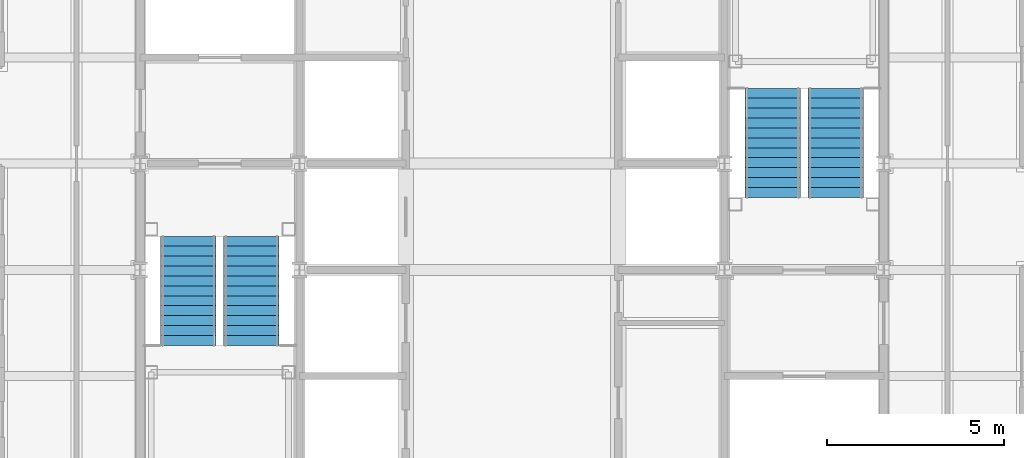
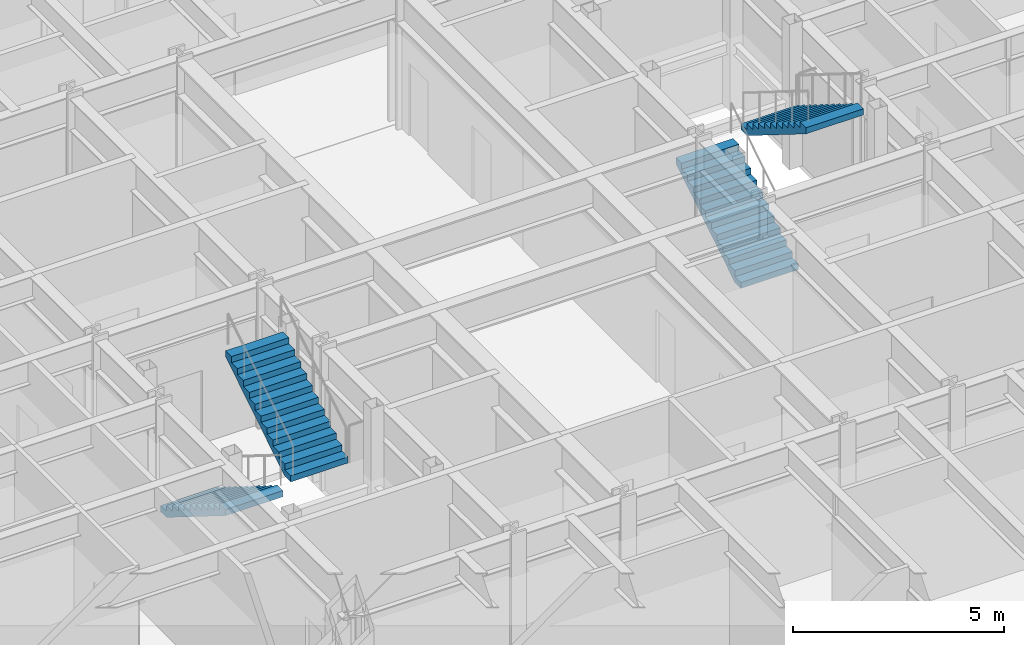
# One storey, part 13 of 15: 4 stair flights, 2 elements without a shape of their own.
"""IFC4 building model written with IfcOpenShell, lengths in metres."""

from ifc_helpers import new_model, si_unit, direction, frame, origin, place, context, subcontext, project, spatial, faceted_brep, material, type_object, element, aggregate, save


model = new_model("IFC4")

# Units and contexts
model_context = context("Model", 3, precision=1e-05, world=origin(), true_north=direction((0.0, 1.0)))
body_context = subcontext(model_context, "Body", "Model", "MODEL_VIEW")
ifc_project = project(units=[si_unit("LENGTHUNIT", "METRE"), si_unit("AREAUNIT", "SQUARE_METRE"), si_unit("VOLUMEUNIT", "CUBIC_METRE"), si_unit("PLANEANGLEUNIT", "RADIAN"), si_unit("MASSUNIT", "GRAM", prefix="KILO")], contexts=[model_context])

# Site, building, storey
site_placement = place(None, origin())
site = spatial("IfcSite", under=ifc_project, at=site_placement, CompositionType="ELEMENT")
building_placement = place(site_placement, origin())
building = spatial("IfcBuilding", under=site, at=building_placement, Name="Chuquiago Exchange Tower", CompositionType="ELEMENT")
storey_placement = place(building_placement, frame((0.0, 0.0, 283.199951171875)))
storey = spatial("IfcBuildingStorey", under=building, at=storey_placement, Name="L63", CompositionType="ELEMENT", Elevation=283.199951171875)

# Stair, stair flights
ifc_material_1 = material(Name="Concrete C30/37, precast", Category="concrete")
stair_type_1 = type_object("IfcStairType", Name="ST1 half-turn stair 4200", PredefinedType="HALF_TURN_STAIR", material=ifc_material_1)
stair_1_placement = place(storey_placement, origin())
stair_1 = element("IfcStair", 1, at=stair_1_placement, inside=storey, type_object=stair_type_1, Name="Stair ST1 L63", PredefinedType="HALF_TURN_STAIR")
ifc_material_2 = material(Name="Concrete C30/37, precast", Category="concrete")
stair_flight_type = type_object("IfcStairFlightType", Name="ST-F flight 1570 for 4200 storey", PredefinedType="STRAIGHT", material=ifc_material_2)
stair_flight_1_placement = place(storey_placement, frame((13.360107421875, 21.949951171875, 0.0), z_axis=(0.0, 0.0, 1.0), x_axis=(0.0, -1.0, 0.0)))
stair_flight_1 = element("IfcStairFlight", 2, at=stair_flight_1_placement, type_object=stair_flight_type, Name="ST1 flight 1", NumberOfRisers=12, NumberOfTreads=11, PredefinedType="STRAIGHT", RiserHeight=0.175, TreadLength=0.28, context=body_context, shape_type="Brep", body=[
    faceted_brep([(0.0, 0.78515625, 0.0), (0.0, 0.78515625, 0.175048828125), (0.280029296875, 0.78515625, 0.175048828125), (0.280029296875, 0.78515625, 0.35009765625), (0.56005859375, 0.78515625, 0.35009765625), (0.56005859375, 0.78515625, 0.52490234375), (0.840087890625, 0.78515625, 0.52490234375), (0.840087890625, 0.78515625, 0.699951171875), (1.1201171875, 0.78515625, 0.699951171875), (1.1201171875, 0.78515625, 0.875), (1.39990234375, 0.78515625, 0.875), (1.39990234375, 0.78515625, 1.050048828125), (1.679931640625, 0.78515625, 1.050048828125), (1.679931640625, 0.78515625, 1.22509765625), (1.9599609375, 0.78515625, 1.22509765625), (1.9599609375, 0.78515625, 1.39990234375), (2.239990234375, 0.78515625, 1.39990234375), (2.239990234375, 0.78515625, 1.574951171875), (2.52001953125, 0.78515625, 1.574951171875), (2.52001953125, 0.78515625, 1.75), (2.800048828125, 0.78515625, 1.75), (2.800048828125, 0.78515625, 1.925048828125), (3.080078125, 0.78515625, 1.925048828125), (3.080078125, 0.78515625, 1.748291015625), (0.28271484375, 0.78515625, 0.0), (0.28271484375, -0.78515625, 0.0), (3.080078125, -0.78515625, 1.748291015625), (3.080078125, -0.78515625, 1.925048828125), (2.800048828125, -0.78515625, 1.925048828125), (2.800048828125, -0.78515625, 1.75), (2.52001953125, -0.78515625, 1.75), (2.52001953125, -0.78515625, 1.574951171875), (2.239990234375, -0.78515625, 1.574951171875), (2.239990234375, -0.78515625, 1.39990234375), (1.9599609375, -0.78515625, 1.39990234375), (1.9599609375, -0.78515625, 1.22509765625), (1.679931640625, -0.78515625, 1.22509765625), (1.679931640625, -0.78515625, 1.050048828125), (1.39990234375, -0.78515625, 1.050048828125), (1.39990234375, -0.78515625, 0.875), (1.1201171875, -0.78515625, 0.875), (1.1201171875, -0.78515625, 0.699951171875), (0.840087890625, -0.78515625, 0.699951171875), (0.840087890625, -0.78515625, 0.52490234375), (0.56005859375, -0.78515625, 0.52490234375), (0.56005859375, -0.78515625, 0.35009765625), (0.280029296875, -0.78515625, 0.35009765625), (0.280029296875, -0.78515625, 0.175048828125), (0.0, -0.78515625, 0.175048828125), (0.0, -0.78515625, 0.0), (0.0, 0.392578125, 0.0), (0.0, 0.392578125, 0.175048828125), (0.0, 0.0, 0.0), (0.0, 0.0, 0.175048828125), (0.0, -0.392578125, 0.0), (0.0, -0.392578125, 0.175048828125), (0.280029296875, 0.392578125, 0.175048828125), (0.280029296875, 0.0, 0.175048828125), (0.280029296875, -0.392578125, 0.175048828125), (0.280029296875, 0.392578125, 0.35009765625), (0.280029296875, 0.0, 0.35009765625), (0.280029296875, -0.392578125, 0.35009765625), (0.56005859375, 0.392578125, 0.35009765625), (0.56005859375, 0.0, 0.35009765625), (0.56005859375, -0.392578125, 0.35009765625), (0.56005859375, 0.392578125, 0.52490234375), (0.56005859375, 0.0, 0.52490234375), (0.56005859375, -0.392578125, 0.52490234375), (0.840087890625, 0.392578125, 0.52490234375), (0.840087890625, 0.0, 0.52490234375), (0.840087890625, -0.392578125, 0.52490234375), (0.840087890625, 0.392578125, 0.699951171875), (0.840087890625, 0.0, 0.699951171875), (0.840087890625, -0.392578125, 0.699951171875), (1.1201171875, 0.392578125, 0.699951171875), (1.1201171875, 0.0, 0.699951171875), (1.1201171875, -0.392578125, 0.699951171875), (1.1201171875, 0.392578125, 0.875), (1.1201171875, 0.0, 0.875), (1.1201171875, -0.392578125, 0.875), (1.39990234375, 0.392578125, 0.875), (1.39990234375, 0.0, 0.875), (1.39990234375, -0.392578125, 0.875), (1.39990234375, 0.392578125, 1.050048828125), (1.39990234375, 0.0, 1.050048828125), (1.39990234375, -0.392578125, 1.050048828125), (1.679931640625, 0.392578125, 1.050048828125), (1.679931640625, 0.0, 1.050048828125), (1.679931640625, -0.392578125, 1.050048828125), (1.679931640625, 0.392578125, 1.22509765625), (1.679931640625, 0.0, 1.22509765625), (1.679931640625, -0.392578125, 1.22509765625), (1.9599609375, 0.392578125, 1.22509765625), (1.9599609375, 0.0, 1.22509765625), (1.9599609375, -0.392578125, 1.22509765625), (1.9599609375, 0.392578125, 1.39990234375), (1.9599609375, 0.0, 1.39990234375), (1.9599609375, -0.392578125, 1.39990234375), (2.239990234375, 0.392578125, 1.39990234375), (2.239990234375, 0.0, 1.39990234375), (2.239990234375, -0.392578125, 1.39990234375), (2.239990234375, 0.392578125, 1.574951171875), (2.239990234375, 0.0, 1.574951171875), (2.239990234375, -0.392578125, 1.574951171875), (2.52001953125, 0.392578125, 1.574951171875), (2.52001953125, 0.0, 1.574951171875), (2.52001953125, -0.392578125, 1.574951171875), (2.52001953125, 0.392578125, 1.75), (2.52001953125, 0.0, 1.75), (2.52001953125, -0.392578125, 1.75), (2.800048828125, 0.392578125, 1.75), (2.800048828125, 0.0, 1.75), (2.800048828125, -0.392578125, 1.75), (2.800048828125, 0.392578125, 1.925048828125), (2.800048828125, 0.0, 1.925048828125), (2.800048828125, -0.392578125, 1.925048828125), (3.080078125, 0.392578125, 1.925048828125), (3.080078125, 0.0, 1.925048828125), (3.080078125, -0.392578125, 1.925048828125), (3.080078125, 0.392578125, 1.748291015625), (3.080078125, 0.0, 1.748291015625), (3.080078125, -0.392578125, 1.748291015625), (0.28271484375, 0.392578125, 0.0), (0.28271484375, 0.0, 0.0), (0.28271484375, -0.392578125, 0.0)], [[[0, 1, 2, 3, 4, 5, 6, 7, 8, 9, 10, 11, 12, 13, 14, 15, 16, 17, 18, 19, 20, 21, 22, 23, 24]], [[25, 26, 27, 28, 29, 30, 31, 32, 33, 34, 35, 36, 37, 38, 39, 40, 41, 42, 43, 44, 45, 46, 47, 48, 49]], [[1, 0, 50, 51]], [[51, 50, 52, 53]], [[53, 52, 54, 55]], [[55, 54, 49, 48]], [[2, 1, 51, 56]], [[56, 51, 53, 57]], [[57, 53, 55, 58]], [[58, 55, 48, 47]], [[3, 2, 56, 59]], [[59, 56, 57, 60]], [[60, 57, 58, 61]], [[61, 58, 47, 46]], [[4, 3, 59, 62]], [[62, 59, 60, 63]], [[63, 60, 61, 64]], [[64, 61, 46, 45]], [[5, 4, 62, 65]], [[65, 62, 63, 66]], [[66, 63, 64, 67]], [[67, 64, 45, 44]], [[6, 5, 65, 68]], [[68, 65, 66, 69]], [[69, 66, 67, 70]], [[70, 67, 44, 43]], [[7, 6, 68, 71]], [[71, 68, 69, 72]], [[72, 69, 70, 73]], [[73, 70, 43, 42]], [[8, 7, 71, 74]], [[74, 71, 72, 75]], [[75, 72, 73, 76]], [[76, 73, 42, 41]], [[9, 8, 74, 77]], [[77, 74, 75, 78]], [[78, 75, 76, 79]], [[79, 76, 41, 40]], [[10, 9, 77, 80]], [[80, 77, 78, 81]], [[81, 78, 79, 82]], [[82, 79, 40, 39]], [[11, 10, 80, 83]], [[83, 80, 81, 84]], [[84, 81, 82, 85]], [[85, 82, 39, 38]], [[12, 11, 83, 86]], [[86, 83, 84, 87]], [[87, 84, 85, 88]], [[88, 85, 38, 37]], [[13, 12, 86, 89]], [[89, 86, 87, 90]], [[90, 87, 88, 91]], [[91, 88, 37, 36]], [[14, 13, 89, 92]], [[92, 89, 90, 93]], [[93, 90, 91, 94]], [[94, 91, 36, 35]], [[15, 14, 92, 95]], [[95, 92, 93, 96]], [[96, 93, 94, 97]], [[97, 94, 35, 34]], [[16, 15, 95, 98]], [[98, 95, 96, 99]], [[99, 96, 97, 100]], [[100, 97, 34, 33]], [[17, 16, 98, 101]], [[101, 98, 99, 102]], [[102, 99, 100, 103]], [[103, 100, 33, 32]], [[18, 17, 101, 104]], [[104, 101, 102, 105]], [[105, 102, 103, 106]], [[106, 103, 32, 31]], [[19, 18, 104, 107]], [[107, 104, 105, 108]], [[108, 105, 106, 109]], [[109, 106, 31, 30]], [[20, 19, 107, 110]], [[110, 107, 108, 111]], [[111, 108, 109, 112]], [[112, 109, 30, 29]], [[21, 20, 110, 113]], [[113, 110, 111, 114]], [[114, 111, 112, 115]], [[115, 112, 29, 28]], [[22, 21, 113, 116]], [[116, 113, 114, 117]], [[117, 114, 115, 118]], [[118, 115, 28, 27]], [[23, 22, 116, 119]], [[119, 116, 117, 120]], [[120, 117, 118, 121]], [[121, 118, 27, 26]], [[24, 23, 119, 122]], [[122, 119, 120, 123]], [[123, 120, 121, 124]], [[124, 121, 26, 25]], [[0, 24, 122, 50]], [[50, 122, 123, 52]], [[52, 123, 124, 54]], [[54, 124, 25, 49]]]),
])
stair_flight_2_placement = place(storey_placement, frame((15.139892578125, 18.8701171875, 2.10009765625), z_axis=(0.0, 0.0, 1.0), x_axis=(0.0, 1.0, 0.0)))
stair_flight_2 = element("IfcStairFlight", 3, at=stair_flight_2_placement, type_object=stair_flight_type, Name="ST1 flight 2", NumberOfRisers=12, NumberOfTreads=11, PredefinedType="STRAIGHT", RiserHeight=0.175, TreadLength=0.28, context=body_context, shape_type="Brep", body=[
    faceted_brep([(0.0, 0.78515625, 0.0), (0.0, 0.78515625, 0.175048828125), (0.280029296875, 0.78515625, 0.175048828125), (0.280029296875, 0.78515625, 0.35009765625), (0.56005859375, 0.78515625, 0.35009765625), (0.56005859375, 0.78515625, 0.52490234375), (0.840087890625, 0.78515625, 0.52490234375), (0.840087890625, 0.78515625, 0.699951171875), (1.1201171875, 0.78515625, 0.699951171875), (1.1201171875, 0.78515625, 0.875), (1.39990234375, 0.78515625, 0.875), (1.39990234375, 0.78515625, 1.050048828125), (1.679931640625, 0.78515625, 1.050048828125), (1.679931640625, 0.78515625, 1.22509765625), (1.9599609375, 0.78515625, 1.22509765625), (1.9599609375, 0.78515625, 1.39990234375), (2.239990234375, 0.78515625, 1.39990234375), (2.239990234375, 0.78515625, 1.574951171875), (2.52001953125, 0.78515625, 1.574951171875), (2.52001953125, 0.78515625, 1.75), (2.800048828125, 0.78515625, 1.75), (2.800048828125, 0.78515625, 1.925048828125), (3.080078125, 0.78515625, 1.925048828125), (3.080078125, 0.78515625, 1.748291015625), (0.28271484375, 0.78515625, 0.0), (0.28271484375, -0.78515625, 0.0), (3.080078125, -0.78515625, 1.748291015625), (3.080078125, -0.78515625, 1.925048828125), (2.800048828125, -0.78515625, 1.925048828125), (2.800048828125, -0.78515625, 1.75), (2.52001953125, -0.78515625, 1.75), (2.52001953125, -0.78515625, 1.574951171875), (2.239990234375, -0.78515625, 1.574951171875), (2.239990234375, -0.78515625, 1.39990234375), (1.9599609375, -0.78515625, 1.39990234375), (1.9599609375, -0.78515625, 1.22509765625), (1.679931640625, -0.78515625, 1.22509765625), (1.679931640625, -0.78515625, 1.050048828125), (1.39990234375, -0.78515625, 1.050048828125), (1.39990234375, -0.78515625, 0.875), (1.1201171875, -0.78515625, 0.875), (1.1201171875, -0.78515625, 0.699951171875), (0.840087890625, -0.78515625, 0.699951171875), (0.840087890625, -0.78515625, 0.52490234375), (0.56005859375, -0.78515625, 0.52490234375), (0.56005859375, -0.78515625, 0.35009765625), (0.280029296875, -0.78515625, 0.35009765625), (0.280029296875, -0.78515625, 0.175048828125), (0.0, -0.78515625, 0.175048828125), (0.0, -0.78515625, 0.0), (0.0, 0.392578125, 0.0), (0.0, 0.392578125, 0.175048828125), (0.0, 0.0, 0.0), (0.0, 0.0, 0.175048828125), (0.0, -0.392578125, 0.0), (0.0, -0.392578125, 0.175048828125), (0.280029296875, 0.392578125, 0.175048828125), (0.280029296875, 0.0, 0.175048828125), (0.280029296875, -0.392578125, 0.175048828125), (0.280029296875, 0.392578125, 0.35009765625), (0.280029296875, 0.0, 0.35009765625), (0.280029296875, -0.392578125, 0.35009765625), (0.56005859375, 0.392578125, 0.35009765625), (0.56005859375, 0.0, 0.35009765625), (0.56005859375, -0.392578125, 0.35009765625), (0.56005859375, 0.392578125, 0.52490234375), (0.56005859375, 0.0, 0.52490234375), (0.56005859375, -0.392578125, 0.52490234375), (0.840087890625, 0.392578125, 0.52490234375), (0.840087890625, 0.0, 0.52490234375), (0.840087890625, -0.392578125, 0.52490234375), (0.840087890625, 0.392578125, 0.699951171875), (0.840087890625, 0.0, 0.699951171875), (0.840087890625, -0.392578125, 0.699951171875), (1.1201171875, 0.392578125, 0.699951171875), (1.1201171875, 0.0, 0.699951171875), (1.1201171875, -0.392578125, 0.699951171875), (1.1201171875, 0.392578125, 0.875), (1.1201171875, 0.0, 0.875), (1.1201171875, -0.392578125, 0.875), (1.39990234375, 0.392578125, 0.875), (1.39990234375, 0.0, 0.875), (1.39990234375, -0.392578125, 0.875), (1.39990234375, 0.392578125, 1.050048828125), (1.39990234375, 0.0, 1.050048828125), (1.39990234375, -0.392578125, 1.050048828125), (1.679931640625, 0.392578125, 1.050048828125), (1.679931640625, 0.0, 1.050048828125), (1.679931640625, -0.392578125, 1.050048828125), (1.679931640625, 0.392578125, 1.22509765625), (1.679931640625, 0.0, 1.22509765625), (1.679931640625, -0.392578125, 1.22509765625), (1.9599609375, 0.392578125, 1.22509765625), (1.9599609375, 0.0, 1.22509765625), (1.9599609375, -0.392578125, 1.22509765625), (1.9599609375, 0.392578125, 1.39990234375), (1.9599609375, 0.0, 1.39990234375), (1.9599609375, -0.392578125, 1.39990234375), (2.239990234375, 0.392578125, 1.39990234375), (2.239990234375, 0.0, 1.39990234375), (2.239990234375, -0.392578125, 1.39990234375), (2.239990234375, 0.392578125, 1.574951171875), (2.239990234375, 0.0, 1.574951171875), (2.239990234375, -0.392578125, 1.574951171875), (2.52001953125, 0.392578125, 1.574951171875), (2.52001953125, 0.0, 1.574951171875), (2.52001953125, -0.392578125, 1.574951171875), (2.52001953125, 0.392578125, 1.75), (2.52001953125, 0.0, 1.75), (2.52001953125, -0.392578125, 1.75), (2.800048828125, 0.392578125, 1.75), (2.800048828125, 0.0, 1.75), (2.800048828125, -0.392578125, 1.75), (2.800048828125, 0.392578125, 1.925048828125), (2.800048828125, 0.0, 1.925048828125), (2.800048828125, -0.392578125, 1.925048828125), (3.080078125, 0.392578125, 1.925048828125), (3.080078125, 0.0, 1.925048828125), (3.080078125, -0.392578125, 1.925048828125), (3.080078125, 0.392578125, 1.748291015625), (3.080078125, 0.0, 1.748291015625), (3.080078125, -0.392578125, 1.748291015625), (0.28271484375, 0.392578125, 0.0), (0.28271484375, 0.0, 0.0), (0.28271484375, -0.392578125, 0.0)], [[[0, 1, 2, 3, 4, 5, 6, 7, 8, 9, 10, 11, 12, 13, 14, 15, 16, 17, 18, 19, 20, 21, 22, 23, 24]], [[25, 26, 27, 28, 29, 30, 31, 32, 33, 34, 35, 36, 37, 38, 39, 40, 41, 42, 43, 44, 45, 46, 47, 48, 49]], [[1, 0, 50, 51]], [[51, 50, 52, 53]], [[53, 52, 54, 55]], [[55, 54, 49, 48]], [[2, 1, 51, 56]], [[56, 51, 53, 57]], [[57, 53, 55, 58]], [[58, 55, 48, 47]], [[3, 2, 56, 59]], [[59, 56, 57, 60]], [[60, 57, 58, 61]], [[61, 58, 47, 46]], [[4, 3, 59, 62]], [[62, 59, 60, 63]], [[63, 60, 61, 64]], [[64, 61, 46, 45]], [[5, 4, 62, 65]], [[65, 62, 63, 66]], [[66, 63, 64, 67]], [[67, 64, 45, 44]], [[6, 5, 65, 68]], [[68, 65, 66, 69]], [[69, 66, 67, 70]], [[70, 67, 44, 43]], [[7, 6, 68, 71]], [[71, 68, 69, 72]], [[72, 69, 70, 73]], [[73, 70, 43, 42]], [[8, 7, 71, 74]], [[74, 71, 72, 75]], [[75, 72, 73, 76]], [[76, 73, 42, 41]], [[9, 8, 74, 77]], [[77, 74, 75, 78]], [[78, 75, 76, 79]], [[79, 76, 41, 40]], [[10, 9, 77, 80]], [[80, 77, 78, 81]], [[81, 78, 79, 82]], [[82, 79, 40, 39]], [[11, 10, 80, 83]], [[83, 80, 81, 84]], [[84, 81, 82, 85]], [[85, 82, 39, 38]], [[12, 11, 83, 86]], [[86, 83, 84, 87]], [[87, 84, 85, 88]], [[88, 85, 38, 37]], [[13, 12, 86, 89]], [[89, 86, 87, 90]], [[90, 87, 88, 91]], [[91, 88, 37, 36]], [[14, 13, 89, 92]], [[92, 89, 90, 93]], [[93, 90, 91, 94]], [[94, 91, 36, 35]], [[15, 14, 92, 95]], [[95, 92, 93, 96]], [[96, 93, 94, 97]], [[97, 94, 35, 34]], [[16, 15, 95, 98]], [[98, 95, 96, 99]], [[99, 96, 97, 100]], [[100, 97, 34, 33]], [[17, 16, 98, 101]], [[101, 98, 99, 102]], [[102, 99, 100, 103]], [[103, 100, 33, 32]], [[18, 17, 101, 104]], [[104, 101, 102, 105]], [[105, 102, 103, 106]], [[106, 103, 32, 31]], [[19, 18, 104, 107]], [[107, 104, 105, 108]], [[108, 105, 106, 109]], [[109, 106, 31, 30]], [[20, 19, 107, 110]], [[110, 107, 108, 111]], [[111, 108, 109, 112]], [[112, 109, 30, 29]], [[21, 20, 110, 113]], [[113, 110, 111, 114]], [[114, 111, 112, 115]], [[115, 112, 29, 28]], [[22, 21, 113, 116]], [[116, 113, 114, 117]], [[117, 114, 115, 118]], [[118, 115, 28, 27]], [[23, 22, 116, 119]], [[119, 116, 117, 120]], [[120, 117, 118, 121]], [[121, 118, 27, 26]], [[24, 23, 119, 122]], [[122, 119, 120, 123]], [[123, 120, 121, 124]], [[124, 121, 26, 25]], [[0, 24, 122, 50]], [[50, 122, 123, 52]], [[52, 123, 124, 54]], [[54, 124, 25, 49]]]),
])
aggregate(stair_1, [stair_flight_1, stair_flight_2])

ifc_material_3 = material(Name="Concrete C30/37, precast", Category="concrete")
stair_type_2 = type_object("IfcStairType", Name="ST2 half-turn stair 4200", PredefinedType="HALF_TURN_STAIR", material=ifc_material_3)
stair_2_placement = place(storey_placement, origin())
stair_2 = element("IfcStair", 4, at=stair_2_placement, inside=storey, type_object=stair_type_2, Name="Stair ST2 L63", PredefinedType="HALF_TURN_STAIR")
stair_flight_3_placement = place(storey_placement, frame((29.860107421875, 23.050048828125, 0.0), z_axis=(0.0, 0.0, 1.0), x_axis=(0.0, 1.0, 0.0)))
stair_flight_3 = element("IfcStairFlight", 5, at=stair_flight_3_placement, type_object=stair_flight_type, Name="ST2 flight 1", NumberOfRisers=12, NumberOfTreads=11, PredefinedType="STRAIGHT", RiserHeight=0.175, TreadLength=0.28, context=body_context, shape_type="Brep", body=[
    faceted_brep([(0.0, 0.78515625, 0.0), (0.0, 0.78515625, 0.175048828125), (0.280029296875, 0.78515625, 0.175048828125), (0.280029296875, 0.78515625, 0.35009765625), (0.56005859375, 0.78515625, 0.35009765625), (0.56005859375, 0.78515625, 0.52490234375), (0.840087890625, 0.78515625, 0.52490234375), (0.840087890625, 0.78515625, 0.699951171875), (1.1201171875, 0.78515625, 0.699951171875), (1.1201171875, 0.78515625, 0.875), (1.39990234375, 0.78515625, 0.875), (1.39990234375, 0.78515625, 1.050048828125), (1.679931640625, 0.78515625, 1.050048828125), (1.679931640625, 0.78515625, 1.22509765625), (1.9599609375, 0.78515625, 1.22509765625), (1.9599609375, 0.78515625, 1.39990234375), (2.239990234375, 0.78515625, 1.39990234375), (2.239990234375, 0.78515625, 1.574951171875), (2.52001953125, 0.78515625, 1.574951171875), (2.52001953125, 0.78515625, 1.75), (2.800048828125, 0.78515625, 1.75), (2.800048828125, 0.78515625, 1.925048828125), (3.080078125, 0.78515625, 1.925048828125), (3.080078125, 0.78515625, 1.748291015625), (0.28271484375, 0.78515625, 0.0), (0.28271484375, -0.78515625, 0.0), (3.080078125, -0.78515625, 1.748291015625), (3.080078125, -0.78515625, 1.925048828125), (2.800048828125, -0.78515625, 1.925048828125), (2.800048828125, -0.78515625, 1.75), (2.52001953125, -0.78515625, 1.75), (2.52001953125, -0.78515625, 1.574951171875), (2.239990234375, -0.78515625, 1.574951171875), (2.239990234375, -0.78515625, 1.39990234375), (1.9599609375, -0.78515625, 1.39990234375), (1.9599609375, -0.78515625, 1.22509765625), (1.679931640625, -0.78515625, 1.22509765625), (1.679931640625, -0.78515625, 1.050048828125), (1.39990234375, -0.78515625, 1.050048828125), (1.39990234375, -0.78515625, 0.875), (1.1201171875, -0.78515625, 0.875), (1.1201171875, -0.78515625, 0.699951171875), (0.840087890625, -0.78515625, 0.699951171875), (0.840087890625, -0.78515625, 0.52490234375), (0.56005859375, -0.78515625, 0.52490234375), (0.56005859375, -0.78515625, 0.35009765625), (0.280029296875, -0.78515625, 0.35009765625), (0.280029296875, -0.78515625, 0.175048828125), (0.0, -0.78515625, 0.175048828125), (0.0, -0.78515625, 0.0), (0.0, 0.392578125, 0.0), (0.0, 0.392578125, 0.175048828125), (0.0, 0.0, 0.0), (0.0, 0.0, 0.175048828125), (0.0, -0.392578125, 0.0), (0.0, -0.392578125, 0.175048828125), (0.280029296875, 0.392578125, 0.175048828125), (0.280029296875, 0.0, 0.175048828125), (0.280029296875, -0.392578125, 0.175048828125), (0.280029296875, 0.392578125, 0.35009765625), (0.280029296875, 0.0, 0.35009765625), (0.280029296875, -0.392578125, 0.35009765625), (0.56005859375, 0.392578125, 0.35009765625), (0.56005859375, 0.0, 0.35009765625), (0.56005859375, -0.392578125, 0.35009765625), (0.56005859375, 0.392578125, 0.52490234375), (0.56005859375, 0.0, 0.52490234375), (0.56005859375, -0.392578125, 0.52490234375), (0.840087890625, 0.392578125, 0.52490234375), (0.840087890625, 0.0, 0.52490234375), (0.840087890625, -0.392578125, 0.52490234375), (0.840087890625, 0.392578125, 0.699951171875), (0.840087890625, 0.0, 0.699951171875), (0.840087890625, -0.392578125, 0.699951171875), (1.1201171875, 0.392578125, 0.699951171875), (1.1201171875, 0.0, 0.699951171875), (1.1201171875, -0.392578125, 0.699951171875), (1.1201171875, 0.392578125, 0.875), (1.1201171875, 0.0, 0.875), (1.1201171875, -0.392578125, 0.875), (1.39990234375, 0.392578125, 0.875), (1.39990234375, 0.0, 0.875), (1.39990234375, -0.392578125, 0.875), (1.39990234375, 0.392578125, 1.050048828125), (1.39990234375, 0.0, 1.050048828125), (1.39990234375, -0.392578125, 1.050048828125), (1.679931640625, 0.392578125, 1.050048828125), (1.679931640625, 0.0, 1.050048828125), (1.679931640625, -0.392578125, 1.050048828125), (1.679931640625, 0.392578125, 1.22509765625), (1.679931640625, 0.0, 1.22509765625), (1.679931640625, -0.392578125, 1.22509765625), (1.9599609375, 0.392578125, 1.22509765625), (1.9599609375, 0.0, 1.22509765625), (1.9599609375, -0.392578125, 1.22509765625), (1.9599609375, 0.392578125, 1.39990234375), (1.9599609375, 0.0, 1.39990234375), (1.9599609375, -0.392578125, 1.39990234375), (2.239990234375, 0.392578125, 1.39990234375), (2.239990234375, 0.0, 1.39990234375), (2.239990234375, -0.392578125, 1.39990234375), (2.239990234375, 0.392578125, 1.574951171875), (2.239990234375, 0.0, 1.574951171875), (2.239990234375, -0.392578125, 1.574951171875), (2.52001953125, 0.392578125, 1.574951171875), (2.52001953125, 0.0, 1.574951171875), (2.52001953125, -0.392578125, 1.574951171875), (2.52001953125, 0.392578125, 1.75), (2.52001953125, 0.0, 1.75), (2.52001953125, -0.392578125, 1.75), (2.800048828125, 0.392578125, 1.75), (2.800048828125, 0.0, 1.75), (2.800048828125, -0.392578125, 1.75), (2.800048828125, 0.392578125, 1.925048828125), (2.800048828125, 0.0, 1.925048828125), (2.800048828125, -0.392578125, 1.925048828125), (3.080078125, 0.392578125, 1.925048828125), (3.080078125, 0.0, 1.925048828125), (3.080078125, -0.392578125, 1.925048828125), (3.080078125, 0.392578125, 1.748291015625), (3.080078125, 0.0, 1.748291015625), (3.080078125, -0.392578125, 1.748291015625), (0.28271484375, 0.392578125, 0.0), (0.28271484375, 0.0, 0.0), (0.28271484375, -0.392578125, 0.0)], [[[0, 1, 2, 3, 4, 5, 6, 7, 8, 9, 10, 11, 12, 13, 14, 15, 16, 17, 18, 19, 20, 21, 22, 23, 24]], [[25, 26, 27, 28, 29, 30, 31, 32, 33, 34, 35, 36, 37, 38, 39, 40, 41, 42, 43, 44, 45, 46, 47, 48, 49]], [[1, 0, 50, 51]], [[51, 50, 52, 53]], [[53, 52, 54, 55]], [[55, 54, 49, 48]], [[2, 1, 51, 56]], [[56, 51, 53, 57]], [[57, 53, 55, 58]], [[58, 55, 48, 47]], [[3, 2, 56, 59]], [[59, 56, 57, 60]], [[60, 57, 58, 61]], [[61, 58, 47, 46]], [[4, 3, 59, 62]], [[62, 59, 60, 63]], [[63, 60, 61, 64]], [[64, 61, 46, 45]], [[5, 4, 62, 65]], [[65, 62, 63, 66]], [[66, 63, 64, 67]], [[67, 64, 45, 44]], [[6, 5, 65, 68]], [[68, 65, 66, 69]], [[69, 66, 67, 70]], [[70, 67, 44, 43]], [[7, 6, 68, 71]], [[71, 68, 69, 72]], [[72, 69, 70, 73]], [[73, 70, 43, 42]], [[8, 7, 71, 74]], [[74, 71, 72, 75]], [[75, 72, 73, 76]], [[76, 73, 42, 41]], [[9, 8, 74, 77]], [[77, 74, 75, 78]], [[78, 75, 76, 79]], [[79, 76, 41, 40]], [[10, 9, 77, 80]], [[80, 77, 78, 81]], [[81, 78, 79, 82]], [[82, 79, 40, 39]], [[11, 10, 80, 83]], [[83, 80, 81, 84]], [[84, 81, 82, 85]], [[85, 82, 39, 38]], [[12, 11, 83, 86]], [[86, 83, 84, 87]], [[87, 84, 85, 88]], [[88, 85, 38, 37]], [[13, 12, 86, 89]], [[89, 86, 87, 90]], [[90, 87, 88, 91]], [[91, 88, 37, 36]], [[14, 13, 89, 92]], [[92, 89, 90, 93]], [[93, 90, 91, 94]], [[94, 91, 36, 35]], [[15, 14, 92, 95]], [[95, 92, 93, 96]], [[96, 93, 94, 97]], [[97, 94, 35, 34]], [[16, 15, 95, 98]], [[98, 95, 96, 99]], [[99, 96, 97, 100]], [[100, 97, 34, 33]], [[17, 16, 98, 101]], [[101, 98, 99, 102]], [[102, 99, 100, 103]], [[103, 100, 33, 32]], [[18, 17, 101, 104]], [[104, 101, 102, 105]], [[105, 102, 103, 106]], [[106, 103, 32, 31]], [[19, 18, 104, 107]], [[107, 104, 105, 108]], [[108, 105, 106, 109]], [[109, 106, 31, 30]], [[20, 19, 107, 110]], [[110, 107, 108, 111]], [[111, 108, 109, 112]], [[112, 109, 30, 29]], [[21, 20, 110, 113]], [[113, 110, 111, 114]], [[114, 111, 112, 115]], [[115, 112, 29, 28]], [[22, 21, 113, 116]], [[116, 113, 114, 117]], [[117, 114, 115, 118]], [[118, 115, 28, 27]], [[23, 22, 116, 119]], [[119, 116, 117, 120]], [[120, 117, 118, 121]], [[121, 118, 27, 26]], [[24, 23, 119, 122]], [[122, 119, 120, 123]], [[123, 120, 121, 124]], [[124, 121, 26, 25]], [[0, 24, 122, 50]], [[50, 122, 123, 52]], [[52, 123, 124, 54]], [[54, 124, 25, 49]]]),
])
stair_flight_4_placement = place(storey_placement, frame((31.639892578125, 26.1298828125, 2.10009765625), z_axis=(0.0, 0.0, 1.0), x_axis=(0.0, -1.0, 0.0)))
stair_flight_4 = element("IfcStairFlight", 6, at=stair_flight_4_placement, type_object=stair_flight_type, Name="ST2 flight 2", NumberOfRisers=12, NumberOfTreads=11, PredefinedType="STRAIGHT", RiserHeight=0.175, TreadLength=0.28, context=body_context, shape_type="Brep", body=[
    faceted_brep([(0.0, 0.78515625, 0.0), (0.0, 0.78515625, 0.175048828125), (0.280029296875, 0.78515625, 0.175048828125), (0.280029296875, 0.78515625, 0.35009765625), (0.56005859375, 0.78515625, 0.35009765625), (0.56005859375, 0.78515625, 0.52490234375), (0.840087890625, 0.78515625, 0.52490234375), (0.840087890625, 0.78515625, 0.699951171875), (1.1201171875, 0.78515625, 0.699951171875), (1.1201171875, 0.78515625, 0.875), (1.39990234375, 0.78515625, 0.875), (1.39990234375, 0.78515625, 1.050048828125), (1.679931640625, 0.78515625, 1.050048828125), (1.679931640625, 0.78515625, 1.22509765625), (1.9599609375, 0.78515625, 1.22509765625), (1.9599609375, 0.78515625, 1.39990234375), (2.239990234375, 0.78515625, 1.39990234375), (2.239990234375, 0.78515625, 1.574951171875), (2.52001953125, 0.78515625, 1.574951171875), (2.52001953125, 0.78515625, 1.75), (2.800048828125, 0.78515625, 1.75), (2.800048828125, 0.78515625, 1.925048828125), (3.080078125, 0.78515625, 1.925048828125), (3.080078125, 0.78515625, 1.748291015625), (0.28271484375, 0.78515625, 0.0), (0.28271484375, -0.78515625, 0.0), (3.080078125, -0.78515625, 1.748291015625), (3.080078125, -0.78515625, 1.925048828125), (2.800048828125, -0.78515625, 1.925048828125), (2.800048828125, -0.78515625, 1.75), (2.52001953125, -0.78515625, 1.75), (2.52001953125, -0.78515625, 1.574951171875), (2.239990234375, -0.78515625, 1.574951171875), (2.239990234375, -0.78515625, 1.39990234375), (1.9599609375, -0.78515625, 1.39990234375), (1.9599609375, -0.78515625, 1.22509765625), (1.679931640625, -0.78515625, 1.22509765625), (1.679931640625, -0.78515625, 1.050048828125), (1.39990234375, -0.78515625, 1.050048828125), (1.39990234375, -0.78515625, 0.875), (1.1201171875, -0.78515625, 0.875), (1.1201171875, -0.78515625, 0.699951171875), (0.840087890625, -0.78515625, 0.699951171875), (0.840087890625, -0.78515625, 0.52490234375), (0.56005859375, -0.78515625, 0.52490234375), (0.56005859375, -0.78515625, 0.35009765625), (0.280029296875, -0.78515625, 0.35009765625), (0.280029296875, -0.78515625, 0.175048828125), (0.0, -0.78515625, 0.175048828125), (0.0, -0.78515625, 0.0), (0.0, 0.392578125, 0.0), (0.0, 0.392578125, 0.175048828125), (0.0, 0.0, 0.0), (0.0, 0.0, 0.175048828125), (0.0, -0.392578125, 0.0), (0.0, -0.392578125, 0.175048828125), (0.280029296875, 0.392578125, 0.175048828125), (0.280029296875, 0.0, 0.175048828125), (0.280029296875, -0.392578125, 0.175048828125), (0.280029296875, 0.392578125, 0.35009765625), (0.280029296875, 0.0, 0.35009765625), (0.280029296875, -0.392578125, 0.35009765625), (0.56005859375, 0.392578125, 0.35009765625), (0.56005859375, 0.0, 0.35009765625), (0.56005859375, -0.392578125, 0.35009765625), (0.56005859375, 0.392578125, 0.52490234375), (0.56005859375, 0.0, 0.52490234375), (0.56005859375, -0.392578125, 0.52490234375), (0.840087890625, 0.392578125, 0.52490234375), (0.840087890625, 0.0, 0.52490234375), (0.840087890625, -0.392578125, 0.52490234375), (0.840087890625, 0.392578125, 0.699951171875), (0.840087890625, 0.0, 0.699951171875), (0.840087890625, -0.392578125, 0.699951171875), (1.1201171875, 0.392578125, 0.699951171875), (1.1201171875, 0.0, 0.699951171875), (1.1201171875, -0.392578125, 0.699951171875), (1.1201171875, 0.392578125, 0.875), (1.1201171875, 0.0, 0.875), (1.1201171875, -0.392578125, 0.875), (1.39990234375, 0.392578125, 0.875), (1.39990234375, 0.0, 0.875), (1.39990234375, -0.392578125, 0.875), (1.39990234375, 0.392578125, 1.050048828125), (1.39990234375, 0.0, 1.050048828125), (1.39990234375, -0.392578125, 1.050048828125), (1.679931640625, 0.392578125, 1.050048828125), (1.679931640625, 0.0, 1.050048828125), (1.679931640625, -0.392578125, 1.050048828125), (1.679931640625, 0.392578125, 1.22509765625), (1.679931640625, 0.0, 1.22509765625), (1.679931640625, -0.392578125, 1.22509765625), (1.9599609375, 0.392578125, 1.22509765625), (1.9599609375, 0.0, 1.22509765625), (1.9599609375, -0.392578125, 1.22509765625), (1.9599609375, 0.392578125, 1.39990234375), (1.9599609375, 0.0, 1.39990234375), (1.9599609375, -0.392578125, 1.39990234375), (2.239990234375, 0.392578125, 1.39990234375), (2.239990234375, 0.0, 1.39990234375), (2.239990234375, -0.392578125, 1.39990234375), (2.239990234375, 0.392578125, 1.574951171875), (2.239990234375, 0.0, 1.574951171875), (2.239990234375, -0.392578125, 1.574951171875), (2.52001953125, 0.392578125, 1.574951171875), (2.52001953125, 0.0, 1.574951171875), (2.52001953125, -0.392578125, 1.574951171875), (2.52001953125, 0.392578125, 1.75), (2.52001953125, 0.0, 1.75), (2.52001953125, -0.392578125, 1.75), (2.800048828125, 0.392578125, 1.75), (2.800048828125, 0.0, 1.75), (2.800048828125, -0.392578125, 1.75), (2.800048828125, 0.392578125, 1.925048828125), (2.800048828125, 0.0, 1.925048828125), (2.800048828125, -0.392578125, 1.925048828125), (3.080078125, 0.392578125, 1.925048828125), (3.080078125, 0.0, 1.925048828125), (3.080078125, -0.392578125, 1.925048828125), (3.080078125, 0.392578125, 1.748291015625), (3.080078125, 0.0, 1.748291015625), (3.080078125, -0.392578125, 1.748291015625), (0.28271484375, 0.392578125, 0.0), (0.28271484375, 0.0, 0.0), (0.28271484375, -0.392578125, 0.0)], [[[0, 1, 2, 3, 4, 5, 6, 7, 8, 9, 10, 11, 12, 13, 14, 15, 16, 17, 18, 19, 20, 21, 22, 23, 24]], [[25, 26, 27, 28, 29, 30, 31, 32, 33, 34, 35, 36, 37, 38, 39, 40, 41, 42, 43, 44, 45, 46, 47, 48, 49]], [[1, 0, 50, 51]], [[51, 50, 52, 53]], [[53, 52, 54, 55]], [[55, 54, 49, 48]], [[2, 1, 51, 56]], [[56, 51, 53, 57]], [[57, 53, 55, 58]], [[58, 55, 48, 47]], [[3, 2, 56, 59]], [[59, 56, 57, 60]], [[60, 57, 58, 61]], [[61, 58, 47, 46]], [[4, 3, 59, 62]], [[62, 59, 60, 63]], [[63, 60, 61, 64]], [[64, 61, 46, 45]], [[5, 4, 62, 65]], [[65, 62, 63, 66]], [[66, 63, 64, 67]], [[67, 64, 45, 44]], [[6, 5, 65, 68]], [[68, 65, 66, 69]], [[69, 66, 67, 70]], [[70, 67, 44, 43]], [[7, 6, 68, 71]], [[71, 68, 69, 72]], [[72, 69, 70, 73]], [[73, 70, 43, 42]], [[8, 7, 71, 74]], [[74, 71, 72, 75]], [[75, 72, 73, 76]], [[76, 73, 42, 41]], [[9, 8, 74, 77]], [[77, 74, 75, 78]], [[78, 75, 76, 79]], [[79, 76, 41, 40]], [[10, 9, 77, 80]], [[80, 77, 78, 81]], [[81, 78, 79, 82]], [[82, 79, 40, 39]], [[11, 10, 80, 83]], [[83, 80, 81, 84]], [[84, 81, 82, 85]], [[85, 82, 39, 38]], [[12, 11, 83, 86]], [[86, 83, 84, 87]], [[87, 84, 85, 88]], [[88, 85, 38, 37]], [[13, 12, 86, 89]], [[89, 86, 87, 90]], [[90, 87, 88, 91]], [[91, 88, 37, 36]], [[14, 13, 89, 92]], [[92, 89, 90, 93]], [[93, 90, 91, 94]], [[94, 91, 36, 35]], [[15, 14, 92, 95]], [[95, 92, 93, 96]], [[96, 93, 94, 97]], [[97, 94, 35, 34]], [[16, 15, 95, 98]], [[98, 95, 96, 99]], [[99, 96, 97, 100]], [[100, 97, 34, 33]], [[17, 16, 98, 101]], [[101, 98, 99, 102]], [[102, 99, 100, 103]], [[103, 100, 33, 32]], [[18, 17, 101, 104]], [[104, 101, 102, 105]], [[105, 102, 103, 106]], [[106, 103, 32, 31]], [[19, 18, 104, 107]], [[107, 104, 105, 108]], [[108, 105, 106, 109]], [[109, 106, 31, 30]], [[20, 19, 107, 110]], [[110, 107, 108, 111]], [[111, 108, 109, 112]], [[112, 109, 30, 29]], [[21, 20, 110, 113]], [[113, 110, 111, 114]], [[114, 111, 112, 115]], [[115, 112, 29, 28]], [[22, 21, 113, 116]], [[116, 113, 114, 117]], [[117, 114, 115, 118]], [[118, 115, 28, 27]], [[23, 22, 116, 119]], [[119, 116, 117, 120]], [[120, 117, 118, 121]], [[121, 118, 27, 26]], [[24, 23, 119, 122]], [[122, 119, 120, 123]], [[123, 120, 121, 124]], [[124, 121, 26, 25]], [[0, 24, 122, 50]], [[50, 122, 123, 52]], [[52, 123, 124, 54]], [[54, 124, 25, 49]]]),
])
aggregate(stair_2, [stair_flight_3, stair_flight_4])

save(model, "model.ifc")
